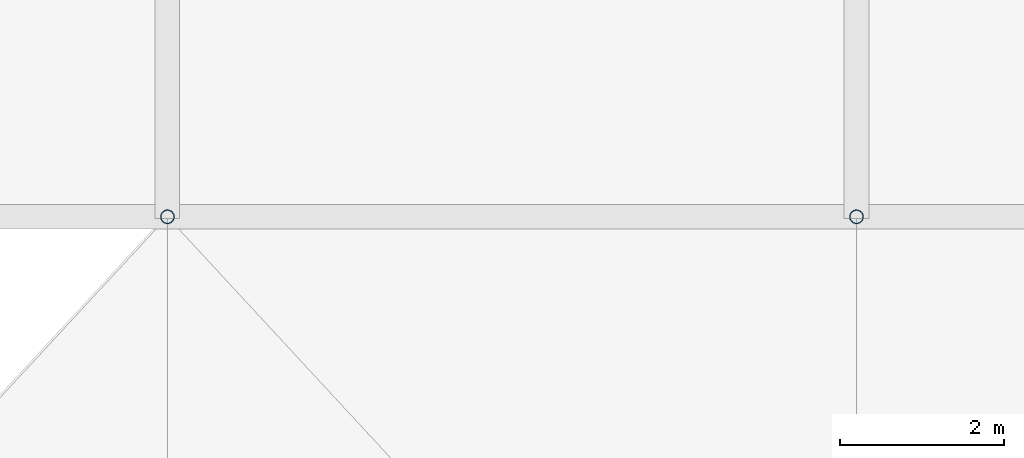
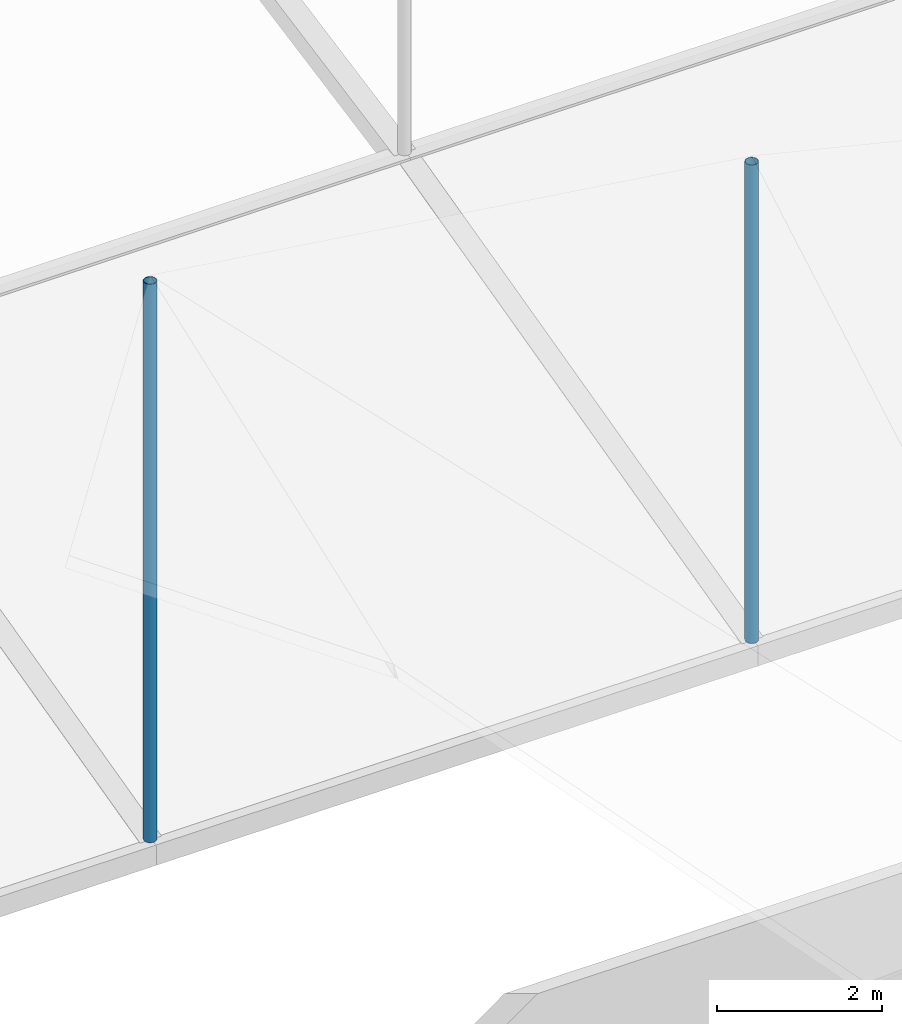
# One storey, part 30 of 111: 2 discrete accessories.
"""IFC4 building model written with IfcOpenShell, lengths in metres."""

from ifc_helpers import new_model, si_unit, direction, frame, origin, origin_2d, place, context, subcontext, project, spatial, hollow_circle, extrude, material, material_profile, profile_set, type_object, element, save


model = new_model("IFC4")

# Units and contexts
model_context = context("Model", 3, precision=1e-05, world=origin(), true_north=direction((0.0, 1.0)))
body_context = subcontext(model_context, "Body", "Model", "MODEL_VIEW")
ifc_project = project(units=[si_unit("LENGTHUNIT", "METRE"), si_unit("AREAUNIT", "SQUARE_METRE"), si_unit("VOLUMEUNIT", "CUBIC_METRE"), si_unit("PLANEANGLEUNIT", "RADIAN"), si_unit("MASSUNIT", "GRAM", prefix="KILO")], contexts=[model_context])

# Site, building, storey
site_placement = place(None, origin())
site = spatial("IfcSite", under=ifc_project, at=site_placement, CompositionType="ELEMENT")
building_placement = place(site_placement, origin())
building = spatial("IfcBuilding", under=site, at=building_placement, Name="Rain Tree Exposition and Congress Centre", CompositionType="ELEMENT")
storey_placement = place(building_placement, frame((0.0, 0.0, 19.5)))
storey = spatial("IfcBuildingStorey", under=building, at=storey_placement, Name="RF", CompositionType="ELEMENT", Elevation=19.5)

# Discrete accessories
ifc_material = material(Name="Steel S355J2H", Category="steel")
ifc_material_profile = material_profile(ifc_material, hollow_circle(Radius=0.084228515625, WallThickness=0.006103515625, at=origin_2d()), Name="CHS 168x6")
ifc_profile_set = profile_set([ifc_material_profile], Name="Steel S355J2H")
discrete_accessory_type = type_object("IfcDiscreteAccessoryType", Name="Roof skin post CHS 168x6", PredefinedType="BRACKET", material=ifc_profile_set)
discrete_accessory_1_placement = place(storey_placement, frame((67.199951171875, 109.199951171875, 1.11669921875), z_axis=(0.0, 0.0, 1.0), x_axis=(1.0, 0.0, 0.0)))
element("IfcDiscreteAccessory", 1, at=discrete_accessory_1_placement, inside=storey, type_object=discrete_accessory_type, Name="Roof skin post A23", PredefinedType="BRACKET", context=body_context, shape_type="SweptSolid", body=[
    extrude(hollow_circle(Radius=0.084228515625, WallThickness=0.006103515625, at=origin_2d()), origin(), (0.0, 0.0, 1.0), 8.24365234375),
])
discrete_accessory_2_placement = place(storey_placement, frame((75.60009765625, 109.199951171875, 1.11669921875), z_axis=(0.0, 0.0, 1.0), x_axis=(1.0, 0.0, 0.0)))
element("IfcDiscreteAccessory", 2, at=discrete_accessory_2_placement, inside=storey, type_object=discrete_accessory_type, Name="Roof skin post A24", PredefinedType="BRACKET", context=body_context, shape_type="SweptSolid", body=[
    extrude(hollow_circle(Radius=0.084228515625, WallThickness=0.006103515625, at=origin_2d()), origin(), (0.0, 0.0, 1.0), 7.063720703125),
])

save(model, "model.ifc")
